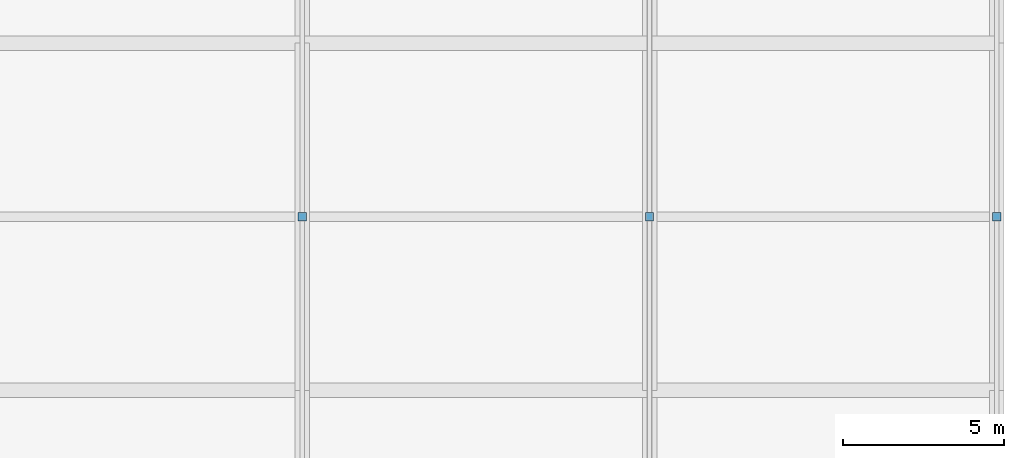
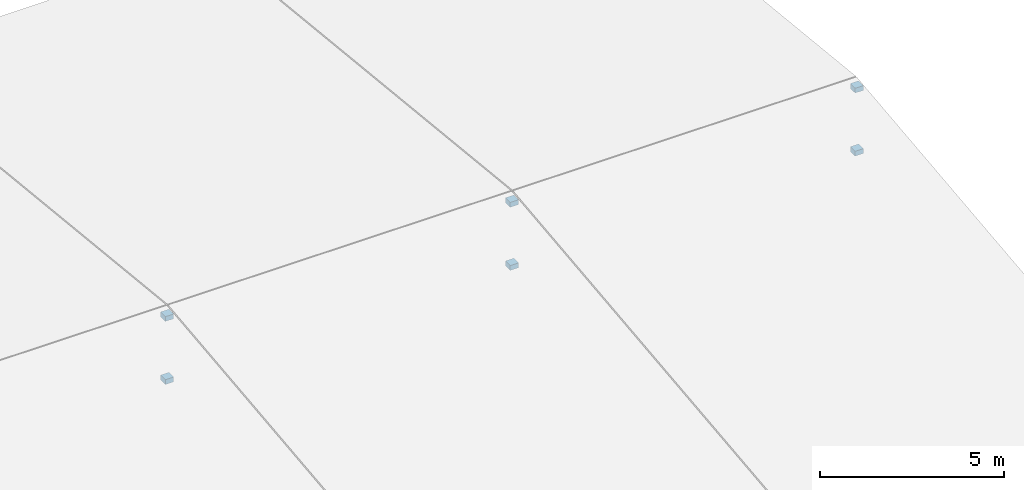
# One storey, part 110 of 112: 6 discrete accessories.
"""IFC4 building model written with IfcOpenShell, lengths in metres."""

from ifc_helpers import new_model, si_unit, direction, frame, origin, origin_2d, place, context, subcontext, project, spatial, rectangle, extrude, material, type_object, element, save


model = new_model("IFC4")

# Units and contexts
model_context = context("Model", 3, precision=1e-05, world=origin(), true_north=direction((0.0, 1.0)))
body_context = subcontext(model_context, "Body", "Model", "MODEL_VIEW")
ifc_project = project(units=[si_unit("LENGTHUNIT", "METRE"), si_unit("AREAUNIT", "SQUARE_METRE"), si_unit("VOLUMEUNIT", "CUBIC_METRE"), si_unit("PLANEANGLEUNIT", "RADIAN"), si_unit("MASSUNIT", "GRAM", prefix="KILO")], contexts=[model_context])

# Site, building, storey
site_placement = place(None, origin())
site = spatial("IfcSite", under=ifc_project, at=site_placement, CompositionType="ELEMENT")
building_placement = place(site_placement, origin())
building = spatial("IfcBuilding", under=site, at=building_placement, Name="Zwinboog Wholesale Market", CompositionType="ELEMENT")
storey_placement = place(building_placement, frame((0.0, 0.0, 19.080078125)))
storey = spatial("IfcBuildingStorey", under=building, at=storey_placement, Name="Roof", CompositionType="ELEMENT", Elevation=19.080078125)

# Discrete accessories
ifc_material = material(Name="Steel S355", Category="steel")
discrete_accessory_type = type_object("IfcDiscreteAccessoryType", Name="ACC-BRK-S355", PredefinedType="BRACKET", material=ifc_material)
for number, where, z_axis, x_axis, name in (
    (1, (194.39990234375, 16.199951171875, -4.75), (0.0, 0.0, 1.0), (1.0, 0.0, 0.0), "BK-01 (ACC-BRC-0610)"),
    (2, (194.39990234375, 16.199951171875, -2.66015625), (0.0, 0.0, 1.0), (1.0, 0.0, 0.0), "BK-01 (ACC-BRC-0611)"),
    (3, (205.199951171875, 16.199951171875, -4.75), (0.0, 0.0, 1.0), (1.0, 0.0, 0.0), "BK-01 (ACC-BRC-0612)"),
    (4, (205.199951171875, 16.199951171875, -2.66015625), (0.0, 0.0, 1.0), (1.0, 0.0, 0.0), "BK-01 (ACC-BRC-0613)"),
    (5, (216.0, 16.199951171875, -4.75), (0.0, 0.0, 1.0), (1.0, 0.0, 0.0), "BK-01 (ACC-BRC-0614)"),
    (6, (216.0, 16.199951171875, -2.66015625), (0.0, 0.0, 1.0), (1.0, 0.0, 0.0), "BK-01 (ACC-BRC-0615)"),
):
    element("IfcDiscreteAccessory", number, at=place(storey_placement, frame(where, z_axis=z_axis, x_axis=x_axis)), inside=storey, type_object=discrete_accessory_type, Name=name, PredefinedType="BRACKET", context=body_context, shape_type="SweptSolid", body=[
        extrude(rectangle(XDim=0.260009765625, YDim=0.260009765625, at=origin_2d()), origin(), (0.0, 0.0, 1.0), 0.159912109375),
    ])

save(model, "model.ifc")
